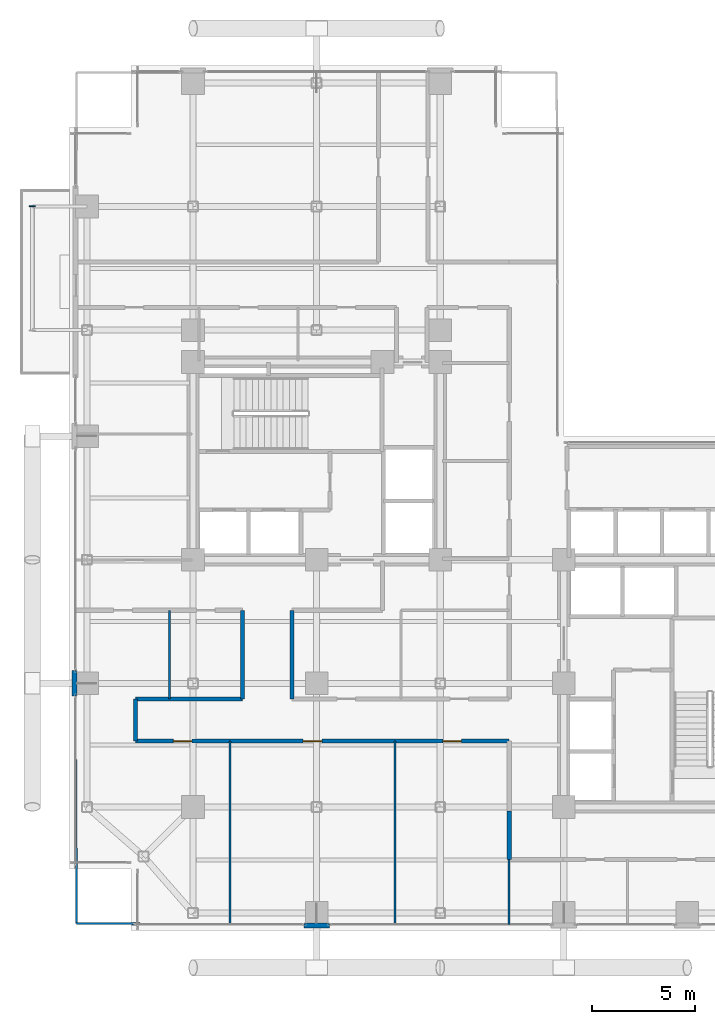
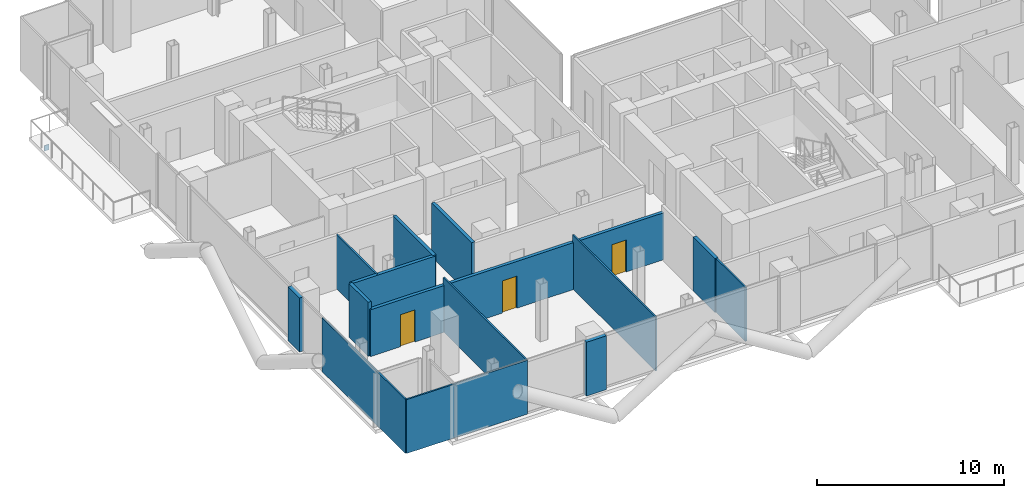
# One storey, part 21 of 28: 14 walls, 3 doors, 1 plate, 3 openings.
"""IFC4 building model written with IfcOpenShell, lengths in metres."""

from ifc_helpers import new_model, si_unit, direction, frame, frame_2d, origin, origin_2d, place, context, subcontext, project, spatial, rectangle, extrude, material, layer, layer_set, type_object, element, fill, save


model = new_model("IFC4")

# Units and contexts
model_context = context("Model", 3, precision=1e-05, world=origin(), true_north=direction((0.0, 1.0)))
body_context = subcontext(model_context, "Body", "Model", "MODEL_VIEW")
ifc_project = project(units=[si_unit("LENGTHUNIT", "METRE"), si_unit("AREAUNIT", "SQUARE_METRE"), si_unit("VOLUMEUNIT", "CUBIC_METRE"), si_unit("PLANEANGLEUNIT", "RADIAN"), si_unit("MASSUNIT", "GRAM", prefix="KILO"), si_unit("THERMODYNAMICTEMPERATUREUNIT", "KELVIN"), si_unit("POWERUNIT", "WATT")], contexts=[model_context])

# Site, building, storey
site_placement = place(None, origin())
site = spatial("IfcSite", under=ifc_project, at=site_placement, CompositionType="ELEMENT")
building_placement = place(site_placement, origin())
building = spatial("IfcBuilding", under=site, at=building_placement, Name="Svarakhadi Broadcast Tower", CompositionType="ELEMENT")
storey_placement = place(building_placement, frame((0.0, 0.0, 138.14990234375)))
storey = spatial("IfcBuildingStorey", under=building, at=storey_placement, Name="L33", CompositionType="ELEMENT", Elevation=138.14990234375)

# Plate
ifc_material_1 = material(Name="Steel S460ML (IS 2062 E450BR)", Category="steel")
ifc_layer_1 = layer(ifc_material_1, 0.028076171875)
ifc_layer_set_1 = layer_set([ifc_layer_1], Name="Steel S460ML (IS 2062 E450BR)")
plate_type = type_object("IfcPlateType", Name="Cap_Plate_CP02", PredefinedType="USERDEFINED", material=ifc_layer_set_1)
plate_placement = place(storey_placement, frame((-1.800048828125, 35.1650390625, -0.55517578125), z_axis=(0.0, 0.0, 1.0), x_axis=(1.0, 0.0, 0.0)))
element("IfcPlate", 1, at=plate_placement, inside=storey, type_object=plate_type, Name="L33 Balcony Spandrel End Cap Plate 2F-B", ObjectType="FLANGE_PLATE", PredefinedType="USERDEFINED", context=body_context, shape_type="SweptSolid", body=[
    extrude(rectangle(XDim=0.300048828125, YDim=0.0400390625, at=origin_2d()), origin(), (0.0, 0.0, 1.0), 0.360107421875),
])

# Wall
ifc_material_2 = material(Name="Double-Stud Acoustic Studio Partition STC-62", Category="gypsum")
ifc_layer_2 = layer(ifc_material_2, 0.199951171875)
ifc_layer_set_2 = layer_set([ifc_layer_2], Name="Double-Stud Acoustic Studio Partition STC-62")
wall_type_1 = type_object("IfcWallType", Name="Wall_Acoust_200", PredefinedType="PARTITIONING", material=ifc_layer_set_2)
wall_1_placement = place(storey_placement, frame((21.35009765625, 3.449951171875, 0.0), z_axis=(0.0, 0.0, 1.0), x_axis=(0.0, 1.0, 0.0)))
element("IfcWall", 2, at=wall_1_placement, inside=storey, type_object=wall_type_1, Name="L33 Zone 2/3 Corridor Wall", PredefinedType="PARTITIONING", context=body_context, shape_type="SweptSolid", body=[
    extrude(rectangle(XDim=2.35009765625, YDim=0.199951171875, at=frame_2d((1.175048828125, 0.0))), origin(), (0.0, 0.0, 1.0), 3.525146484375),
])

# Wall, openings, doors
wall_2_placement = place(storey_placement, frame((21.35009765625, 9.199951171875, 0.0), z_axis=(0.0, 0.0, 1.0), x_axis=(-1.0, 0.0, 0.0)))
wall_2 = element("IfcWall", 3, at=wall_2_placement, inside=storey, type_object=wall_type_1, Name="L33 Zone 2/3 Corridor Wall", PredefinedType="PARTITIONING", context=body_context, shape_type="SweptSolid", body=[
    extrude(rectangle(XDim=18.150146484375, YDim=0.199951171875, at=frame_2d((9.0751953125, 0.0))), origin(), (0.0, 0.0, 1.0), 3.067138671875),
])
opening_1_placement = place(wall_2_placement, frame((15.39990234375, 0.0, 0.0)))
opening_1 = element("IfcOpeningElement", 4, at=opening_1_placement, cuts=wall_2, Name="Opening D-14", PredefinedType="OPENING", context=body_context, shape_type="SweptSolid", body=[
    extrude(rectangle(XDim=0.89990234375, YDim=2.10009765625, at=frame_2d((0.449951171875, 1.050048828125))), frame((0.0, 0.10986328125, 0.0), z_axis=(0.0, -1.0, 0.0), x_axis=(1.0, 0.0, 0.0)), (0.0, 0.0, 1.0), 0.219970703125),
])
opening_2_placement = place(wall_2_placement, frame((9.10009765625, 0.0, 0.0)))
opening_2 = element("IfcOpeningElement", 5, at=opening_2_placement, cuts=wall_2, Name="Opening D-15", PredefinedType="OPENING", context=body_context, shape_type="SweptSolid", body=[
    extrude(rectangle(XDim=0.89990234375, YDim=2.10009765625, at=frame_2d((0.449951171875, 1.050048828125))), frame((0.0, 0.10986328125, 0.0), z_axis=(0.0, -1.0, 0.0), x_axis=(1.0, 0.0, 0.0)), (0.0, 0.0, 1.0), 0.219970703125),
])
opening_3_placement = place(wall_2_placement, frame((2.324951171875, 0.0, 0.0)))
opening_3 = element("IfcOpeningElement", 6, at=opening_3_placement, cuts=wall_2, Name="Opening D-14", PredefinedType="OPENING", context=body_context, shape_type="SweptSolid", body=[
    extrude(rectangle(XDim=0.89990234375, YDim=2.10009765625, at=frame_2d((0.449951171875, 1.050048828125))), frame((0.0, 0.10986328125, 0.0), z_axis=(0.0, -1.0, 0.0), x_axis=(1.0, 0.0, 0.0)), (0.0, 0.0, 1.0), 0.219970703125),
])
ifc_material_3 = material(Name="Solid-Core Teak Veneer Acoustic Timber Leaf", Category="wood")
door_type_1 = type_object("IfcDoorType", Name="Door_Int_D14", OperationType="SINGLE_SWING_LEFT", PredefinedType="DOOR", material=ifc_material_3)
door_1_placement = place(opening_1_placement, origin())
door_1 = element("IfcDoor", 7, at=door_1_placement, inside=storey, type_object=door_type_1, Name="L33 Unreal Virtual Production Lab Door", OperationType="SINGLE_SWING_LEFT", OverallHeight=2.10009765625, OverallWidth=0.89990234375, PredefinedType="DOOR", context=body_context, shape_type="SweptSolid", body=[
    extrude(rectangle(XDim=0.89990234375, YDim=2.10009765625, at=frame_2d((0.449951171875, 1.050048828125))), frame((0.0, 0.02490234375, 0.0), z_axis=(0.0, -1.0, 0.0), x_axis=(1.0, 0.0, 0.0)), (0.0, 0.0, 1.0), 0.050048828125),
])
fill(opening_1, door_1)
door_2_placement = place(opening_3_placement, origin())
door_2 = element("IfcDoor", 8, at=door_2_placement, inside=storey, type_object=door_type_1, Name="L33 GPU Render Farm Room Door", OperationType="SINGLE_SWING_LEFT", OverallHeight=2.10009765625, OverallWidth=0.89990234375, PredefinedType="DOOR", context=body_context, shape_type="SweptSolid", body=[
    extrude(rectangle(XDim=0.89990234375, YDim=2.10009765625, at=frame_2d((0.449951171875, 1.050048828125))), frame((0.0, 0.02490234375, 0.0), z_axis=(0.0, -1.0, 0.0), x_axis=(1.0, 0.0, 0.0)), (0.0, 0.0, 1.0), 0.050048828125),
])
fill(opening_3, door_2)
door_type_2 = type_object("IfcDoorType", Name="Door_Int_D15", OperationType="SINGLE_SWING_RIGHT", PredefinedType="DOOR", material=ifc_material_3)
door_3_placement = place(opening_2_placement, origin())
door_3 = element("IfcDoor", 9, at=door_3_placement, inside=storey, type_object=door_type_2, Name="L33 Motion Capture Volume Studio Door", OperationType="SINGLE_SWING_RIGHT", OverallHeight=2.10009765625, OverallWidth=0.89990234375, PredefinedType="DOOR", context=body_context, shape_type="SweptSolid", body=[
    extrude(rectangle(XDim=0.89990234375, YDim=2.10009765625, at=frame_2d((0.449951171875, 1.050048828125))), frame((0.0, 0.02490234375, 0.0), z_axis=(0.0, -1.0, 0.0), x_axis=(1.0, 0.0, 0.0)), (0.0, 0.0, 1.0), 0.050048828125),
])
fill(opening_2, door_3)

# Walls
wall_3_placement = place(storey_placement, frame((3.199951171875, 9.199951171875, 0.0), z_axis=(0.0, 0.0, 1.0), x_axis=(0.0, 1.0, 0.0)))
element("IfcWall", 10, at=wall_3_placement, inside=storey, type_object=wall_type_1, Name="L33 Zone 2/3 Corridor Wall", PredefinedType="PARTITIONING", context=body_context, shape_type="SweptSolid", body=[
    extrude(rectangle(XDim=2.050048828125, YDim=0.199951171875, at=frame_2d((1.02490234375, 0.0))), origin(), (0.0, 0.0, 1.0), 3.525146484375),
])
wall_4_placement = place(storey_placement, frame((3.199951171875, 11.25, 0.0), z_axis=(0.0, 0.0, 1.0), x_axis=(1.0, 0.0, 0.0)))
element("IfcWall", 11, at=wall_4_placement, inside=storey, type_object=wall_type_1, Name="L33 Zone 2/3 Corridor Wall", PredefinedType="PARTITIONING", context=body_context, shape_type="SweptSolid", body=[
    extrude(rectangle(XDim=5.199951171875, YDim=0.199951171875, at=frame_2d((2.60009765625, 0.0))), origin(), (0.0, 0.0, 1.0), 3.525146484375),
])
for number, where, z_axis, x_axis, name in (
    (12, (8.39990234375, 11.25, 0.0), (0.0, 0.0, 1.0), (0.0, 1.0, 0.0), "L33 Zone 2/3 Corridor Wall"),
    (13, (10.800048828125, 15.550048828125, 0.0), (0.0, 0.0, 1.0), (0.0, -1.0, 0.0), "L33 Zone 2/3 Corridor Wall"),
):
    element("IfcWall", number, at=place(storey_placement, frame(where, z_axis=z_axis, x_axis=x_axis)), inside=storey, type_object=wall_type_1, Name=name, PredefinedType="PARTITIONING", context=body_context, shape_type="SweptSolid", body=[
        extrude(rectangle(XDim=4.300048828125, YDim=0.199951171875, at=frame_2d((2.14990234375, 0.0))), origin(), (0.0, 0.0, 1.0), 3.525146484375),
    ])
ifc_material_4 = material(Name="Concrete C40/50 (IS 456 M50)", Category="concrete")
ifc_layer_3 = layer(ifc_material_4, 0.239990234375)
ifc_layer_set_3 = layer_set([ifc_layer_3], Name="Concrete C40/50 (IS 456 M50)")
wall_type_2 = type_object("IfcWallType", Name="Wall_Ext_240", PredefinedType="SOLIDWALL", material=ifc_layer_set_3)
for number, where, z_axis, x_axis, name in (
    (14, (0.239990234375, 11.385009765625, 0.0), (0.0, 0.0, 1.0), (0.0, 1.0, 0.0), "L33 Perimeter Bronze Spandrel Closure Wall 01"),
    (15, (12.614990234375, 0.239990234375, 0.0), (0.0, 0.0, 1.0), (-1.0, 0.0, 0.0), "L33 Perimeter Bronze Spandrel Closure Wall 08"),
):
    element("IfcWall", number, at=place(storey_placement, frame(where, z_axis=z_axis, x_axis=x_axis)), inside=storey, type_object=wall_type_2, Name=name, PredefinedType="SOLIDWALL", context=body_context, shape_type="SweptSolid", body=[
        extrude(rectangle(XDim=1.22998046875, YDim=0.239990234375, at=frame_2d((0.614990234375, 0.0))), origin(), (0.0, 0.0, 1.0), 3.525146484375),
    ])
ifc_material_5 = material(Name="Fire-Rated Moisture-Resistant Gypsum Board Partition", Category="gypsum")
ifc_layer_4 = layer(ifc_material_5, 0.10009765625)
ifc_layer_set_4 = layer_set([ifc_layer_4], Name="Fire-Rated Moisture-Resistant Gypsum Board Partition")
wall_type_3 = type_object("IfcWallType", Name="Wall_Part_100", PredefinedType="PARTITIONING", material=ifc_layer_set_4)
wall_5_placement = place(storey_placement, frame((21.35009765625, 0.300048828125, 0.0), z_axis=(0.0, 0.0, 1.0), x_axis=(0.0, 1.0, 0.0)))
element("IfcWall", 16, at=wall_5_placement, inside=storey, type_object=wall_type_3, Name="L33 Harbour Front Production Office Wall", PredefinedType="PARTITIONING", context=body_context, shape_type="SweptSolid", body=[
    extrude(rectangle(XDim=3.14990234375, YDim=0.10009765625, at=frame_2d((1.574951171875, 0.0))), origin(), (0.0, 0.0, 1.0), 3.525146484375),
])
wall_6_placement = place(storey_placement, frame((0.35009765625, 0.35009765625, 0.0), z_axis=(0.0, 0.0, 1.0), x_axis=(0.999977434951, -0.006717855945, 0.0)))
element("IfcWall", 17, at=wall_6_placement, inside=storey, type_object=wall_type_3, Name="L33 Unreal Virtual Production Lab Wall", PredefinedType="PARTITIONING", context=body_context, shape_type="SweptSolid", body=[
    extrude(rectangle(XDim=7.4501953125, YDim=0.10009765625, at=frame_2d((3.72509765625, 0.0))), origin(), (0.0, 0.0, 1.0), 3.525146484375),
])
wall_7_placement = place(storey_placement, frame((0.35009765625, 0.35009765625, 0.0), z_axis=(0.0, 0.0, 1.0), x_axis=(-0.005655237989, 0.999984009014, 0.0)))
element("IfcWall", 18, at=wall_7_placement, inside=storey, type_object=wall_type_3, Name="L33 Unreal Virtual Production Lab Wall", PredefinedType="PARTITIONING", context=body_context, shape_type="SweptSolid", body=[
    extrude(rectangle(XDim=8.85009765625, YDim=0.10009765625, at=frame_2d((4.425048828125, 0.0))), origin(), (0.0, 0.0, 1.0), 3.525146484375),
])
for number, where, z_axis, x_axis, name in (
    (19, (7.800048828125, 0.300048828125, 0.0), (0.0, 0.0, 1.0), (0.0, 1.0, 0.0), "L33 Unreal Virtual Production Lab Wall"),
    (20, (15.800048828125, 0.300048828125, 0.0), (0.0, 0.0, 1.0), (0.0, 1.0, 0.0), "L33 Motion Capture Volume Studio Wall"),
):
    element("IfcWall", number, at=place(storey_placement, frame(where, z_axis=z_axis, x_axis=x_axis)), inside=storey, type_object=wall_type_3, Name=name, PredefinedType="PARTITIONING", context=body_context, shape_type="SweptSolid", body=[
        extrude(rectangle(XDim=8.89990234375, YDim=0.10009765625, at=frame_2d((4.449951171875, 0.0))), origin(), (0.0, 0.0, 1.0), 3.525146484375),
    ])
wall_8_placement = place(storey_placement, frame((4.85009765625, 11.25, 0.0), z_axis=(0.0, 0.0, 1.0), x_axis=(0.0, 1.0, 0.0)))
element("IfcWall", 21, at=wall_8_placement, inside=storey, type_object=wall_type_3, Name="L33 Photogrammetry Rig Room Wall", PredefinedType="PARTITIONING", context=body_context, shape_type="SweptSolid", body=[
    extrude(rectangle(XDim=4.300048828125, YDim=0.10009765625, at=frame_2d((2.14990234375, 0.0))), origin(), (0.0, 0.0, 1.0), 3.525146484375),
])

save(model, "model.ifc")
